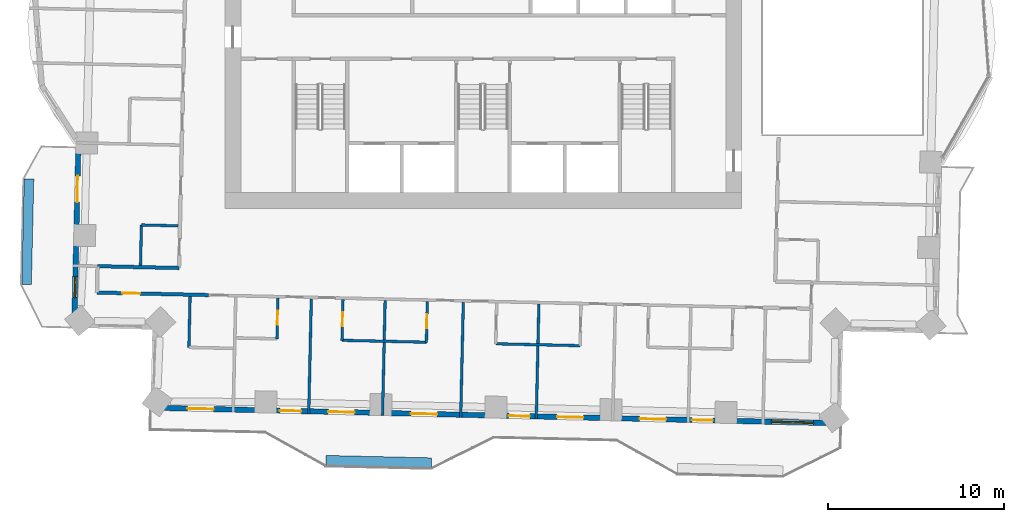
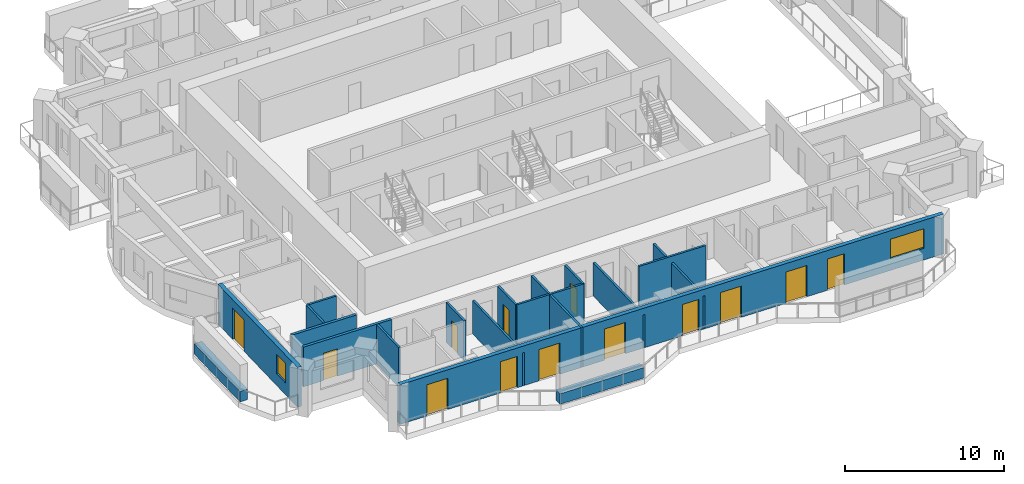
# One storey, part 4 of 14: 18 walls, 13 doors, 2 windows, 15 openings.
"""IFC4 building model written with IfcOpenShell, lengths in metres."""

from ifc_helpers import new_model, si_unit, direction, frame, frame_2d, origin, place, context, subcontext, project, spatial, rectangle, extrude, material, layer, layer_set, type_object, element, fill, save


model = new_model("IFC4")

# Units and contexts
model_context = context("Model", 3, precision=1e-05, world=origin(), true_north=direction((0.0, 1.0)))
body_context = subcontext(model_context, "Body", "Model", "MODEL_VIEW")
ifc_project = project(units=[si_unit("LENGTHUNIT", "METRE"), si_unit("AREAUNIT", "SQUARE_METRE"), si_unit("VOLUMEUNIT", "CUBIC_METRE"), si_unit("PLANEANGLEUNIT", "RADIAN"), si_unit("MASSUNIT", "GRAM", prefix="KILO")], contexts=[model_context])

# Site, building, storey
site_placement = place(None, origin())
site = spatial("IfcSite", under=ifc_project, at=site_placement, CompositionType="ELEMENT")
building_placement = place(site_placement, origin())
building = spatial("IfcBuilding", under=site, at=building_placement, Name="Mangrove Gate Tower", CompositionType="ELEMENT")
storey_placement = place(building_placement, frame((0.0, 0.0, 152.699951171875)))
storey = spatial("IfcBuildingStorey", under=building, at=storey_placement, Name="L38", CompositionType="ELEMENT", Elevation=152.699951171875)

# Wall, opening, door
ifc_material_1 = material(Name="Gypsum board on steel stud, EI 60", Category="steel")
ifc_layer_1 = layer(ifc_material_1, 0.199951171875)
ifc_layer_set_1 = layer_set([ifc_layer_1], Name="Corridor wall EI 60")
wall_type_1 = type_object("IfcWallType", Name="Corridor wall EI 60", PredefinedType="PARTITIONING", material=ifc_layer_set_1)
wall_1_placement = place(storey_placement, frame((-21.98291015625, -16.489013671875, 0.0), z_axis=(0.0, 0.0, 1.0), x_axis=(0.999744930163, -0.022584831499, 0.0)))
wall_1 = element("IfcWall", 1, at=wall_1_placement, inside=storey, type_object=wall_type_1, Name="WALL-L38-026", PredefinedType="PARTITIONING", context=body_context, shape_type="SweptSolid", body=[
    extrude(rectangle(XDim=6.334716796875, YDim=0.199951171875, at=frame_2d((3.16748046875, 0.0))), origin(), (0.0, 0.0, 1.0), 3.050048828125),
])
opening_1_placement = place(wall_1_placement, frame((1.449951171875, 0.0, 0.0)))
opening_1 = element("IfcOpeningElement", 2, at=opening_1_placement, cuts=wall_1, Name="Opening AD", PredefinedType="OPENING", context=body_context, shape_type="SweptSolid", body=[
    extrude(rectangle(XDim=1.0, YDim=2.10009765625, at=frame_2d((0.5, 1.050048828125))), frame((0.0, 0.10986328125, 0.0), z_axis=(0.0, -1.0, 0.0), x_axis=(1.0, 0.0, 0.0)), (0.0, 0.0, 1.0), 0.219970703125),
])
ifc_material_2 = material(Name="Timber door leaf", Category="wood")
door_type_1 = type_object("IfcDoorType", Name="Amenity door 1000", OperationType="SINGLE_SWING_LEFT", PredefinedType="DOOR", material=ifc_material_2)
door_1_placement = place(opening_1_placement, origin())
door_1 = element("IfcDoor", 3, at=door_1_placement, inside=storey, type_object=door_type_1, Name="DOOR-L38-KIT-c1a", OperationType="SINGLE_SWING_LEFT", OverallHeight=2.10009765625, OverallWidth=1.0, PredefinedType="DOOR", context=body_context, shape_type="SweptSolid", body=[
    extrude(rectangle(XDim=1.0, YDim=2.10009765625, at=frame_2d((0.5, 1.050048828125))), frame((0.0, 0.02490234375, 0.0), z_axis=(0.0, -1.0, 0.0), x_axis=(1.0, 0.0, 0.0)), (0.0, 0.0, 1.0), 0.050048828125),
])
fill(opening_1, door_1)

# Wall
wall_2_placement = place(storey_placement, frame((-21.948974609375, -14.989013671875, 0.0), z_axis=(0.0, 0.0, 1.0), x_axis=(0.999743491588, -0.022648422179, 0.0)))
element("IfcWall", 4, at=wall_2_placement, inside=storey, type_object=wall_type_1, Name="WALL-L38-034", PredefinedType="PARTITIONING", context=body_context, shape_type="SweptSolid", body=[
    extrude(rectangle(XDim=4.63525390625, YDim=0.199951171875, at=frame_2d((2.317626953125, 0.0))), origin(), (0.0, 0.0, 1.0), 3.050048828125),
])

# Wall, openings, door, window
ifc_material_3 = material(Name="Limestone", Category="masonry")
ifc_layer_2 = layer(ifc_material_3, 0.0400390625, Name="Limestone cladding")
ifc_material_4 = material(Name="Ventilated air gap")
ifc_layer_3 = layer(ifc_material_4, 0.0400390625, Name="Ventilated cavity")
ifc_material_5 = material(Name="Mineral wool insulation")
ifc_layer_4 = layer(ifc_material_5, 0.06005859375, Name="Insulation")
ifc_material_6 = material(Name="Breather membrane")
ifc_layer_5 = layer(ifc_material_6, 0.001953125, Name="Breather membrane")
ifc_material_7 = material(Name="Concrete C20/25 blockwork", Category="masonry")
ifc_layer_6 = layer(ifc_material_7, 0.14990234375, Name="Blockwork backing wall")
ifc_material_8 = material(Name="Gypsum plaster")
ifc_layer_7 = layer(ifc_material_8, 0.008056640625, Name="Internal plaster")
ifc_layer_set_2 = layer_set([ifc_layer_2, ifc_layer_3, ifc_layer_4, ifc_layer_5, ifc_layer_6, ifc_layer_7], Name="External wall 300 limestone cladding")
wall_type_2 = type_object("IfcWallType", Name="External wall 300 limestone cladding", PredefinedType="SOLIDWALL", material=ifc_layer_set_2)
wall_3_placement = place(storey_placement, frame((-23.0380859375, -7.9130859375, 0.0), z_axis=(0.0, 0.0, 1.0), x_axis=(-0.022705985163, -0.999742185885, 0.0)))
wall_3 = element("IfcWall", 5, at=wall_3_placement, inside=storey, type_object=wall_type_2, Name="WALL-L38-W10", PredefinedType="SOLIDWALL", context=body_context, shape_type="SweptSolid", body=[
    extrude(rectangle(XDim=10.4296875, YDim=0.300048828125, at=frame_2d((5.21484375, 0.0))), origin(), (0.0, 0.0, 1.0), 3.050048828125),
])
opening_2_placement = place(wall_3_placement, frame((1.93603515625, 0.0, 0.0)))
opening_2 = element("IfcOpeningElement", 6, at=opening_2_placement, cuts=wall_3, Name="Opening BD1", PredefinedType="OPENING", context=body_context, shape_type="SweptSolid", body=[
    extrude(rectangle(XDim=1.5, YDim=2.39990234375, at=frame_2d((0.75, 1.199951171875))), frame((0.0, 0.159912109375, 0.0), z_axis=(0.0, -1.0, 0.0), x_axis=(1.0, 0.0, 0.0)), (0.0, 0.0, 1.0), 0.320068359375),
])
opening_3_placement = place(wall_3_placement, frame((7.669921875, 0.0, 0.89990234375)))
opening_3 = element("IfcOpeningElement", 7, at=opening_3_placement, cuts=wall_3, Name="Opening W1", PredefinedType="OPENING", context=body_context, shape_type="SweptSolid", body=[
    extrude(rectangle(XDim=1.199951171875, YDim=1.5, at=frame_2d((0.60009765625, 0.75))), frame((0.0, 0.159912109375, 0.0), z_axis=(0.0, -1.0, 0.0), x_axis=(1.0, 0.0, 0.0)), (0.0, 0.0, 1.0), 0.320068359375),
])
ifc_material_9 = material(Name="Aluminium frame with laminated clear glass", Category="aluminium")
door_type_2 = type_object("IfcDoorType", Name="Balcony sliding door 1500x2400", OperationType="SLIDING_TO_LEFT", PredefinedType="DOOR", material=ifc_material_9)
door_2_placement = place(opening_2_placement, origin())
door_2 = element("IfcDoor", 8, at=door_2_placement, inside=storey, type_object=door_type_2, Name="DOOR-L38-W10-1", OperationType="SLIDING_TO_LEFT", OverallHeight=2.39990234375, OverallWidth=1.5, PredefinedType="DOOR", context=body_context, shape_type="SweptSolid", body=[
    extrude(rectangle(XDim=1.5, YDim=2.39990234375, at=frame_2d((0.75, 1.199951171875))), frame((0.0, 0.02490234375, 0.0), z_axis=(0.0, -1.0, 0.0), x_axis=(1.0, 0.0, 0.0)), (0.0, 0.0, 1.0), 0.050048828125),
])
fill(opening_2, door_2)
ifc_material_10 = material(Name="Aluminium frame with double-glazed low-e glass", Category="aluminium")
window_type_1 = type_object("IfcWindowType", Name="Side lite 1200x1500", PartitioningType="SINGLE_PANEL", PredefinedType="WINDOW", material=ifc_material_10)
window_1_placement = place(opening_3_placement, origin())
window_1 = element("IfcWindow", 9, at=window_1_placement, inside=storey, type_object=window_type_1, Name="WIN-L38-W10-2", OverallHeight=1.5, OverallWidth=1.199951171875, PartitioningType="SINGLE_PANEL", PredefinedType="WINDOW", context=body_context, shape_type="SweptSolid", body=[
    extrude(rectangle(XDim=1.199951171875, YDim=1.5, at=frame_2d((0.60009765625, 0.75))), frame((0.0, 0.030029296875, 0.0), z_axis=(0.0, -1.0, 0.0), x_axis=(1.0, 0.0, 0.0)), (0.0, 0.0, 1.0), 0.06005859375),
])
fill(opening_3, window_1)

# Wall, openings, doors, window
wall_4_placement = place(storey_placement, frame((-18.781005859375, -23.04296875, 0.0), z_axis=(0.0, 0.0, 1.0), x_axis=(0.999742794992, -0.022679150367, 0.0)))
wall_4 = element("IfcWall", 10, at=wall_4_placement, inside=storey, type_object=wall_type_2, Name="WALL-L38-S13", PredefinedType="SOLIDWALL", context=body_context, shape_type="SweptSolid", body=[
    extrude(rectangle(XDim=38.97998046875, YDim=0.300048828125, at=frame_2d((19.489990234375, 0.0))), origin(), (0.0, 0.0, 1.0), 3.050048828125),
])
opening_4_placement = place(wall_4_placement, frame((1.93994140625, 0.0, 0.0)))
opening_4 = element("IfcOpeningElement", 11, at=opening_4_placement, cuts=wall_4, Name="Opening BD1", PredefinedType="OPENING", context=body_context, shape_type="SweptSolid", body=[
    extrude(rectangle(XDim=1.5, YDim=2.39990234375, at=frame_2d((0.75, 1.199951171875))), frame((0.0, 0.159912109375, 0.0), z_axis=(0.0, -1.0, 0.0), x_axis=(1.0, 0.0, 0.0)), (0.0, 0.0, 1.0), 0.320068359375),
])
opening_5_placement = place(wall_4_placement, frame((7.2109375, 0.0, 0.0)))
opening_5 = element("IfcOpeningElement", 12, at=opening_5_placement, cuts=wall_4, Name="Opening BD2", PredefinedType="OPENING", context=body_context, shape_type="SweptSolid", body=[
    extrude(rectangle(XDim=1.199951171875, YDim=2.39990234375, at=frame_2d((0.60009765625, 1.199951171875))), frame((0.0, 0.159912109375, 0.0), z_axis=(0.0, -1.0, 0.0), x_axis=(1.0, 0.0, 0.0)), (0.0, 0.0, 1.0), 0.320068359375),
])
opening_6_placement = place(wall_4_placement, frame((9.958984375, 0.0, 0.0)))
opening_6 = element("IfcOpeningElement", 13, at=opening_6_placement, cuts=wall_4, Name="Opening BD1", PredefinedType="OPENING", context=body_context, shape_type="SweptSolid", body=[
    extrude(rectangle(XDim=1.5, YDim=2.39990234375, at=frame_2d((0.75, 1.199951171875))), frame((0.0, 0.159912109375, 0.0), z_axis=(0.0, -1.0, 0.0), x_axis=(1.0, 0.0, 0.0)), (0.0, 0.0, 1.0), 0.320068359375),
])
opening_7_placement = place(wall_4_placement, frame((14.658935546875, 0.0, 0.0)))
opening_7 = element("IfcOpeningElement", 14, at=opening_7_placement, cuts=wall_4, Name="Opening BD1", PredefinedType="OPENING", context=body_context, shape_type="SweptSolid", body=[
    extrude(rectangle(XDim=1.5, YDim=2.39990234375, at=frame_2d((0.75, 1.199951171875))), frame((0.0, 0.159912109375, 0.0), z_axis=(0.0, -1.0, 0.0), x_axis=(1.0, 0.0, 0.0)), (0.0, 0.0, 1.0), 0.320068359375),
])
opening_8_placement = place(wall_4_placement, frame((20.23193359375, 0.0, 0.0)))
opening_8 = element("IfcOpeningElement", 15, at=opening_8_placement, cuts=wall_4, Name="Opening BD2", PredefinedType="OPENING", context=body_context, shape_type="SweptSolid", body=[
    extrude(rectangle(XDim=1.199951171875, YDim=2.39990234375, at=frame_2d((0.60009765625, 1.199951171875))), frame((0.0, 0.159912109375, 0.0), z_axis=(0.0, -1.0, 0.0), x_axis=(1.0, 0.0, 0.0)), (0.0, 0.0, 1.0), 0.320068359375),
])
opening_9_placement = place(wall_4_placement, frame((22.98095703125, 0.0, 0.0)))
opening_9 = element("IfcOpeningElement", 16, at=opening_9_placement, cuts=wall_4, Name="Opening BD1", PredefinedType="OPENING", context=body_context, shape_type="SweptSolid", body=[
    extrude(rectangle(XDim=1.5, YDim=2.39990234375, at=frame_2d((0.75, 1.199951171875))), frame((0.0, 0.159912109375, 0.0), z_axis=(0.0, -1.0, 0.0), x_axis=(1.0, 0.0, 0.0)), (0.0, 0.0, 1.0), 0.320068359375),
])
opening_10_placement = place(wall_4_placement, frame((27.680908203125, 0.0, 0.0)))
opening_10 = element("IfcOpeningElement", 17, at=opening_10_placement, cuts=wall_4, Name="Opening BD1", PredefinedType="OPENING", context=body_context, shape_type="SweptSolid", body=[
    extrude(rectangle(XDim=1.5, YDim=2.39990234375, at=frame_2d((0.75, 1.199951171875))), frame((0.0, 0.159912109375, 0.0), z_axis=(0.0, -1.0, 0.0), x_axis=(1.0, 0.0, 0.0)), (0.0, 0.0, 1.0), 0.320068359375),
])
opening_11_placement = place(wall_4_placement, frame((30.654052734375, 0.0, 0.0)))
opening_11 = element("IfcOpeningElement", 18, at=opening_11_placement, cuts=wall_4, Name="Opening BD2", PredefinedType="OPENING", context=body_context, shape_type="SweptSolid", body=[
    extrude(rectangle(XDim=1.199951171875, YDim=2.39990234375, at=frame_2d((0.60009765625, 1.199951171875))), frame((0.0, 0.159912109375, 0.0), z_axis=(0.0, -1.0, 0.0), x_axis=(1.0, 0.0, 0.0)), (0.0, 0.0, 1.0), 0.320068359375),
])
opening_12_placement = place(wall_4_placement, frame((35.176025390625, 0.0, 0.89990234375)))
opening_12 = element("IfcOpeningElement", 19, at=opening_12_placement, cuts=wall_4, Name="Opening W2", PredefinedType="OPENING", context=body_context, shape_type="SweptSolid", body=[
    extrude(rectangle(XDim=2.39990234375, YDim=1.5, at=frame_2d((1.199951171875, 0.75))), frame((0.0, 0.159912109375, 0.0), z_axis=(0.0, -1.0, 0.0), x_axis=(1.0, 0.0, 0.0)), (0.0, 0.0, 1.0), 0.320068359375),
])
ifc_material_11 = material(Name="Aluminium frame with laminated clear glass", Category="aluminium")
door_type_3 = type_object("IfcDoorType", Name="Balcony sliding door 1200x2400", OperationType="SLIDING_TO_LEFT", PredefinedType="DOOR", material=ifc_material_11)
door_3_placement = place(opening_5_placement, origin())
door_3 = element("IfcDoor", 20, at=door_3_placement, inside=storey, type_object=door_type_3, Name="DOOR-L38-S13-2", OperationType="SLIDING_TO_LEFT", OverallHeight=2.39990234375, OverallWidth=1.199951171875, PredefinedType="DOOR", context=body_context, shape_type="SweptSolid", body=[
    extrude(rectangle(XDim=1.199951171875, YDim=2.39990234375, at=frame_2d((0.60009765625, 1.199951171875))), frame((0.0, 0.02490234375, 0.0), z_axis=(0.0, -1.0, 0.0), x_axis=(1.0, 0.0, 0.0)), (0.0, 0.0, 1.0), 0.050048828125),
])
fill(opening_5, door_3)
door_4_placement = place(opening_8_placement, origin())
door_4 = element("IfcDoor", 21, at=door_4_placement, inside=storey, type_object=door_type_3, Name="DOOR-L38-S13-5", OperationType="SLIDING_TO_LEFT", OverallHeight=2.39990234375, OverallWidth=1.199951171875, PredefinedType="DOOR", context=body_context, shape_type="SweptSolid", body=[
    extrude(rectangle(XDim=1.199951171875, YDim=2.39990234375, at=frame_2d((0.60009765625, 1.199951171875))), frame((0.0, 0.02490234375, 0.0), z_axis=(0.0, -1.0, 0.0), x_axis=(1.0, 0.0, 0.0)), (0.0, 0.0, 1.0), 0.050048828125),
])
fill(opening_8, door_4)
door_5_placement = place(opening_11_placement, origin())
door_5 = element("IfcDoor", 22, at=door_5_placement, inside=storey, type_object=door_type_3, Name="DOOR-L38-S13-8", OperationType="SLIDING_TO_LEFT", OverallHeight=2.39990234375, OverallWidth=1.199951171875, PredefinedType="DOOR", context=body_context, shape_type="SweptSolid", body=[
    extrude(rectangle(XDim=1.199951171875, YDim=2.39990234375, at=frame_2d((0.60009765625, 1.199951171875))), frame((0.0, 0.02490234375, 0.0), z_axis=(0.0, -1.0, 0.0), x_axis=(1.0, 0.0, 0.0)), (0.0, 0.0, 1.0), 0.050048828125),
])
fill(opening_11, door_5)
door_6_placement = place(opening_4_placement, origin())
door_6 = element("IfcDoor", 23, at=door_6_placement, inside=storey, type_object=door_type_2, Name="DOOR-L38-S13-1", OperationType="SLIDING_TO_LEFT", OverallHeight=2.39990234375, OverallWidth=1.5, PredefinedType="DOOR", context=body_context, shape_type="SweptSolid", body=[
    extrude(rectangle(XDim=1.5, YDim=2.39990234375, at=frame_2d((0.75, 1.199951171875))), frame((0.0, 0.02490234375, 0.0), z_axis=(0.0, -1.0, 0.0), x_axis=(1.0, 0.0, 0.0)), (0.0, 0.0, 1.0), 0.050048828125),
])
fill(opening_4, door_6)
door_7_placement = place(opening_6_placement, origin())
door_7 = element("IfcDoor", 24, at=door_7_placement, inside=storey, type_object=door_type_2, Name="DOOR-L38-S13-3", OperationType="SLIDING_TO_LEFT", OverallHeight=2.39990234375, OverallWidth=1.5, PredefinedType="DOOR", context=body_context, shape_type="SweptSolid", body=[
    extrude(rectangle(XDim=1.5, YDim=2.39990234375, at=frame_2d((0.75, 1.199951171875))), frame((0.0, 0.02490234375, 0.0), z_axis=(0.0, -1.0, 0.0), x_axis=(1.0, 0.0, 0.0)), (0.0, 0.0, 1.0), 0.050048828125),
])
fill(opening_6, door_7)
door_8_placement = place(opening_7_placement, origin())
door_8 = element("IfcDoor", 25, at=door_8_placement, inside=storey, type_object=door_type_2, Name="DOOR-L38-S13-4", OperationType="SLIDING_TO_LEFT", OverallHeight=2.39990234375, OverallWidth=1.5, PredefinedType="DOOR", context=body_context, shape_type="SweptSolid", body=[
    extrude(rectangle(XDim=1.5, YDim=2.39990234375, at=frame_2d((0.75, 1.199951171875))), frame((0.0, 0.02490234375, 0.0), z_axis=(0.0, -1.0, 0.0), x_axis=(1.0, 0.0, 0.0)), (0.0, 0.0, 1.0), 0.050048828125),
])
fill(opening_7, door_8)
door_9_placement = place(opening_9_placement, origin())
door_9 = element("IfcDoor", 26, at=door_9_placement, inside=storey, type_object=door_type_2, Name="DOOR-L38-S13-6", OperationType="SLIDING_TO_LEFT", OverallHeight=2.39990234375, OverallWidth=1.5, PredefinedType="DOOR", context=body_context, shape_type="SweptSolid", body=[
    extrude(rectangle(XDim=1.5, YDim=2.39990234375, at=frame_2d((0.75, 1.199951171875))), frame((0.0, 0.02490234375, 0.0), z_axis=(0.0, -1.0, 0.0), x_axis=(1.0, 0.0, 0.0)), (0.0, 0.0, 1.0), 0.050048828125),
])
fill(opening_9, door_9)
door_10_placement = place(opening_10_placement, origin())
door_10 = element("IfcDoor", 27, at=door_10_placement, inside=storey, type_object=door_type_2, Name="DOOR-L38-S13-7", OperationType="SLIDING_TO_LEFT", OverallHeight=2.39990234375, OverallWidth=1.5, PredefinedType="DOOR", context=body_context, shape_type="SweptSolid", body=[
    extrude(rectangle(XDim=1.5, YDim=2.39990234375, at=frame_2d((0.75, 1.199951171875))), frame((0.0, 0.02490234375, 0.0), z_axis=(0.0, -1.0, 0.0), x_axis=(1.0, 0.0, 0.0)), (0.0, 0.0, 1.0), 0.050048828125),
])
fill(opening_10, door_10)
ifc_material_12 = material(Name="Aluminium frame with double-glazed low-e glass", Category="aluminium")
window_type_2 = type_object("IfcWindowType", Name="Corner room window 2400x1500", PartitioningType="DOUBLE_PANEL_VERTICAL", PredefinedType="WINDOW", material=ifc_material_12)
window_2_placement = place(opening_12_placement, origin())
window_2 = element("IfcWindow", 28, at=window_2_placement, inside=storey, type_object=window_type_2, Name="WIN-L38-S13-9", OverallHeight=1.5, OverallWidth=2.39990234375, PartitioningType="DOUBLE_PANEL_VERTICAL", PredefinedType="WINDOW", context=body_context, shape_type="SweptSolid", body=[
    extrude(rectangle(XDim=2.39990234375, YDim=1.5, at=frame_2d((1.199951171875, 0.75))), frame((0.0, 0.030029296875, 0.0), z_axis=(0.0, -1.0, 0.0), x_axis=(1.0, 0.0, 0.0)), (0.0, 0.0, 1.0), 0.06005859375),
])
fill(opening_12, window_2)

# Walls
ifc_material_13 = material(Name="Gypsum board on steel stud, EI 60", Category="steel")
ifc_layer_8 = layer(ifc_material_13, 0.14990234375)
ifc_layer_set_3 = layer_set([ifc_layer_8], Name="Party wall 150 EI 60")
wall_type_3 = type_object("IfcWallType", Name="Party wall 150 EI 60", PredefinedType="PARTITIONING", material=ifc_layer_set_3)
wall_5_placement = place(storey_placement, frame((-9.93603515625, -23.39404296875, 0.0), z_axis=(0.0, 0.0, 1.0), x_axis=(0.022585104341, 0.999744923999, 0.0)))
element("IfcWall", 29, at=wall_5_placement, inside=storey, type_object=wall_type_3, Name="WALL-L38-002", PredefinedType="PARTITIONING", context=body_context, shape_type="SweptSolid", body=[
    extrude(rectangle(XDim=6.55078125, YDim=0.14990234375, at=frame_2d((3.275390625, 0.0))), origin(), (0.0, 0.0, 1.0), 2.550048828125),
])
wall_6_placement = place(storey_placement, frame((-5.737060546875, -23.489013671875, 0.0), z_axis=(0.0, 0.0, 1.0), x_axis=(0.022585104341, 0.999744923999, 0.0)))
element("IfcWall", 30, at=wall_6_placement, inside=storey, type_object=wall_type_3, Name="WALL-L38-003", PredefinedType="PARTITIONING", context=body_context, shape_type="SweptSolid", body=[
    extrude(rectangle(XDim=6.55078125, YDim=0.14990234375, at=frame_2d((3.275390625, 0.0))), origin(), (0.0, 0.0, 1.0), 3.050048828125),
])
wall_7_placement = place(storey_placement, frame((-1.2890625, -23.590087890625, 0.0), z_axis=(0.0, 0.0, 1.0), x_axis=(0.022771353855, 0.999740699103, 0.0)))
element("IfcWall", 31, at=wall_7_placement, inside=storey, type_object=wall_type_3, Name="WALL-L38-004", PredefinedType="PARTITIONING", context=body_context, shape_type="SweptSolid", body=[
    extrude(rectangle(XDim=6.55078125, YDim=0.14990234375, at=frame_2d((3.275390625, 0.0))), origin(), (0.0, 0.0, 1.0), 2.550048828125),
])
wall_8_placement = place(storey_placement, frame((3.010009765625, -23.68798828125, 0.0), z_axis=(0.0, 0.0, 1.0), x_axis=(0.02273071641, 0.999741623887, 0.0)))
element("IfcWall", 32, at=wall_8_placement, inside=storey, type_object=wall_type_3, Name="WALL-L38-005", PredefinedType="PARTITIONING", context=body_context, shape_type="SweptSolid", body=[
    extrude(rectangle(XDim=6.5517578125, YDim=0.14990234375, at=frame_2d((3.27587890625, 0.0))), origin(), (0.0, 0.0, 1.0), 2.550048828125),
])
wall_9_placement = place(storey_placement, frame((-16.751953125, -19.612060546875, 0.0), z_axis=(0.0, 0.0, 1.0), x_axis=(0.022730967319, 0.999741618182, 0.0)))
element("IfcWall", 33, at=wall_9_placement, inside=storey, type_object=wall_type_3, Name="WALL-L38-009", PredefinedType="PARTITIONING", context=body_context, shape_type="SweptSolid", body=[
    extrude(rectangle(XDim=2.89990234375, YDim=0.14990234375, at=frame_2d((1.449951171875, 0.0))), origin(), (0.0, 0.0, 1.0), 3.050048828125),
])

# Wall, opening, door
wall_10_placement = place(storey_placement, frame((-11.739990234375, -19.1259765625, 0.0), z_axis=(0.0, 0.0, 1.0), x_axis=(0.022781023197, 0.999740478815, 0.0)))
wall_10 = element("IfcWall", 34, at=wall_10_placement, inside=storey, type_object=wall_type_3, Name="WALL-L38-013", PredefinedType="PARTITIONING", context=body_context, shape_type="SweptSolid", body=[
    extrude(rectangle(XDim=2.325439453125, YDim=0.14990234375, at=frame_2d((1.16259765625, 0.0))), origin(), (0.0, 0.0, 1.0), 3.050048828125),
])
opening_13_placement = place(wall_10_placement, frame((0.800048828125, 0.0, 0.0)))
opening_13 = element("IfcOpeningElement", 35, at=opening_13_placement, cuts=wall_10, Name="Opening ED", PredefinedType="OPENING", context=body_context, shape_type="SweptSolid", body=[
    extrude(rectangle(XDim=0.800048828125, YDim=2.10009765625, at=frame_2d((0.39990234375, 1.050048828125))), frame((0.0, 0.0849609375, 0.0), z_axis=(0.0, -1.0, 0.0), x_axis=(1.0, 0.0, 0.0)), (0.0, 0.0, 1.0), 0.169921875),
])
ifc_material_14 = material(Name="Timber door leaf", Category="wood")
door_type_4 = type_object("IfcDoorType", Name="En-suite door 800", OperationType="SINGLE_SWING_LEFT", PredefinedType="DOOR", material=ifc_material_14)
door_11_placement = place(opening_13_placement, origin())
door_11 = element("IfcDoor", 36, at=door_11_placement, inside=storey, type_object=door_type_4, Name="DOOR-L38-ENS-c101", OperationType="SINGLE_SWING_LEFT", OverallHeight=2.10009765625, OverallWidth=0.800048828125, PredefinedType="DOOR", context=body_context, shape_type="SweptSolid", body=[
    extrude(rectangle(XDim=0.800048828125, YDim=2.10009765625, at=frame_2d((0.39990234375, 1.050048828125))), frame((0.0, 0.02490234375, 0.0), z_axis=(0.0, -1.0, 0.0), x_axis=(1.0, 0.0, 0.0)), (0.0, 0.0, 1.0), 0.050048828125),
])
fill(opening_13, door_11)

wall_11_placement = place(storey_placement, frame((-8.041015625, -19.2099609375, 0.0), z_axis=(0.0, 0.0, 1.0), x_axis=(0.022781023197, 0.999740478815, 0.0)))
wall_11 = element("IfcWall", 37, at=wall_11_placement, inside=storey, type_object=wall_type_3, Name="WALL-L38-014", PredefinedType="PARTITIONING", context=body_context, shape_type="SweptSolid", body=[
    extrude(rectangle(XDim=2.325439453125, YDim=0.14990234375, at=frame_2d((1.16259765625, 0.0))), origin(), (0.0, 0.0, 1.0), 3.050048828125),
])
opening_14_placement = place(wall_11_placement, frame((0.800048828125, 0.0, 0.0)))
opening_14 = element("IfcOpeningElement", 38, at=opening_14_placement, cuts=wall_11, Name="Opening ED", PredefinedType="OPENING", context=body_context, shape_type="SweptSolid", body=[
    extrude(rectangle(XDim=0.800048828125, YDim=2.10009765625, at=frame_2d((0.39990234375, 1.050048828125))), frame((0.0, 0.0849609375, 0.0), z_axis=(0.0, -1.0, 0.0), x_axis=(1.0, 0.0, 0.0)), (0.0, 0.0, 1.0), 0.169921875),
])
door_12_placement = place(opening_14_placement, origin())
door_12 = element("IfcDoor", 39, at=door_12_placement, inside=storey, type_object=door_type_4, Name="DOOR-L38-ENS-c102", OperationType="SINGLE_SWING_RIGHT", OverallHeight=2.10009765625, OverallWidth=0.800048828125, PredefinedType="DOOR", context=body_context, shape_type="SweptSolid", body=[
    extrude(rectangle(XDim=0.800048828125, YDim=2.10009765625, at=frame_2d((0.39990234375, 1.050048828125))), frame((0.0, 0.02490234375, 0.0), z_axis=(0.0, -1.0, 0.0), x_axis=(1.0, 0.0, 0.0)), (0.0, 0.0, 1.0), 0.050048828125),
])
fill(opening_14, door_12)

wall_12_placement = place(storey_placement, frame((-3.241943359375, -19.319091796875, 0.0), z_axis=(0.0, 0.0, 1.0), x_axis=(0.022778632478, 0.99974053329, 0.0)))
wall_12 = element("IfcWall", 40, at=wall_12_placement, inside=storey, type_object=wall_type_3, Name="WALL-L38-015", PredefinedType="PARTITIONING", context=body_context, shape_type="SweptSolid", body=[
    extrude(rectangle(XDim=2.32568359375, YDim=0.14990234375, at=frame_2d((1.162841796875, 0.0))), origin(), (0.0, 0.0, 1.0), 3.050048828125),
])
opening_15_placement = place(wall_12_placement, frame((0.800048828125, 0.0, 0.0)))
opening_15 = element("IfcOpeningElement", 41, at=opening_15_placement, cuts=wall_12, Name="Opening ED", PredefinedType="OPENING", context=body_context, shape_type="SweptSolid", body=[
    extrude(rectangle(XDim=0.800048828125, YDim=2.10009765625, at=frame_2d((0.39990234375, 1.050048828125))), frame((0.0, 0.0849609375, 0.0), z_axis=(0.0, -1.0, 0.0), x_axis=(1.0, 0.0, 0.0)), (0.0, 0.0, 1.0), 0.169921875),
])
door_13_placement = place(opening_15_placement, origin())
door_13 = element("IfcDoor", 42, at=door_13_placement, inside=storey, type_object=door_type_4, Name="DOOR-L38-ENS-c103", OperationType="SINGLE_SWING_LEFT", OverallHeight=2.10009765625, OverallWidth=0.800048828125, PredefinedType="DOOR", context=body_context, shape_type="SweptSolid", body=[
    extrude(rectangle(XDim=0.800048828125, YDim=2.10009765625, at=frame_2d((0.39990234375, 1.050048828125))), frame((0.0, 0.02490234375, 0.0), z_axis=(0.0, -1.0, 0.0), x_axis=(1.0, 0.0, 0.0)), (0.0, 0.0, 1.0), 0.050048828125),
])
fill(opening_15, door_13)

# Walls
for number, where, z_axis, x_axis, name in (
    (43, (-8.041015625, -19.2060546875, 0.0), (0.0, 0.0, 1.0), (0.999742701292, -0.022683280499, 0.0), "WALL-L38-021"),
    (44, (0.70703125, -19.404052734375, 0.0), (0.0, 0.0, 1.0), (0.999742701292, -0.022683280499, 0.0), "WALL-L38-022"),
):
    element("IfcWall", number, at=place(storey_placement, frame(where, z_axis=z_axis, x_axis=x_axis)), inside=storey, type_object=wall_type_3, Name=name, PredefinedType="PARTITIONING", context=body_context, shape_type="SweptSolid", body=[
        extrude(rectangle(XDim=4.80029296875, YDim=0.14990234375, at=frame_2d((2.400146484375, 0.0))), origin(), (0.0, 0.0, 1.0), 3.050048828125),
    ])
wall_13_placement = place(storey_placement, frame((-19.507080078125, -14.948974609375, 0.0), z_axis=(0.0, 0.0, 1.0), x_axis=(0.022603288534, 0.999744513037, 0.0)))
element("IfcWall", 45, at=wall_13_placement, inside=storey, type_object=wall_type_3, Name="WALL-L38-029", PredefinedType="PARTITIONING", context=body_context, shape_type="SweptSolid", body=[
    extrude(rectangle(XDim=2.300537109375, YDim=0.14990234375, at=frame_2d((1.150390625, 0.0))), origin(), (0.0, 0.0, 1.0), 3.050048828125),
])
wall_14_placement = place(storey_placement, frame((-19.4599609375, -12.64501953125, 0.0), z_axis=(0.0, 0.0, 1.0), x_axis=(0.999737799372, -0.022898307927, 0.0)))
element("IfcWall", 46, at=wall_14_placement, inside=storey, type_object=wall_type_3, Name="WALL-L38-037", PredefinedType="PARTITIONING", context=body_context, shape_type="SweptSolid", body=[
    extrude(rectangle(XDim=2.100341796875, YDim=0.14990234375, at=frame_2d((1.05029296875, 0.0))), origin(), (0.0, 0.0, 1.0), 3.050048828125),
])
ifc_material_15 = material(Name="Concrete C32/40", Category="concrete")
ifc_layer_9 = layer(ifc_material_15, 0.199951171875, Name="Planter trough wall")
ifc_material_16 = material(Name="Bituminous waterproofing membrane")
ifc_layer_10 = layer(ifc_material_16, 0.0048828125, Name="Waterproofing")
ifc_material_17 = material(Name="Drainage board and gravel")
ifc_layer_11 = layer(ifc_material_17, 0.044921875, Name="Drainage layer")
ifc_material_18 = material(Name="Planting soil")
ifc_layer_12 = layer(ifc_material_18, 0.300048828125, Name="Growing medium")
ifc_layer_set_4 = layer_set([ifc_layer_9, ifc_layer_10, ifc_layer_11, ifc_layer_12], Name="Planter wall 550 C32/40")
wall_type_4 = type_object("IfcWallType", Name="Planter wall 550 C32/40", PredefinedType="USERDEFINED", material=ifc_layer_set_4)
wall_15_placement = place(storey_placement, frame((-25.988037109375, -16.028076171875, 0.0), z_axis=(0.0, 0.0, 1.0), x_axis=(0.022662255828, 0.999743178102, 0.0)))
element("IfcWall", 47, at=wall_15_placement, inside=storey, type_object=wall_type_4, Name="PLANTER L38 W1.1", ObjectType="PLANTER", PredefinedType="USERDEFINED", context=body_context, shape_type="SweptSolid", body=[
    extrude(rectangle(XDim=6.00048828125, YDim=0.550048828125, at=frame_2d((3.000244140625, 0.0))), origin(), (0.0, 0.0, 1.0), 0.800048828125),
])
wall_16_placement = place(storey_placement, frame((-8.9560546875, -26.031982421875, 0.0), z_axis=(0.0, 0.0, 1.0), x_axis=(0.999743094499, -0.022665943652, 0.0)))
element("IfcWall", 48, at=wall_16_placement, inside=storey, type_object=wall_type_4, Name="PLANTER L38 S0.1", ObjectType="PLANTER", PredefinedType="USERDEFINED", context=body_context, shape_type="SweptSolid", body=[
    extrude(rectangle(XDim=5.99951171875, YDim=0.550048828125, at=frame_2d((2.999755859375, 0.0))), origin(), (0.0, 0.0, 1.0), 0.800048828125),
])

save(model, "model.ifc")
